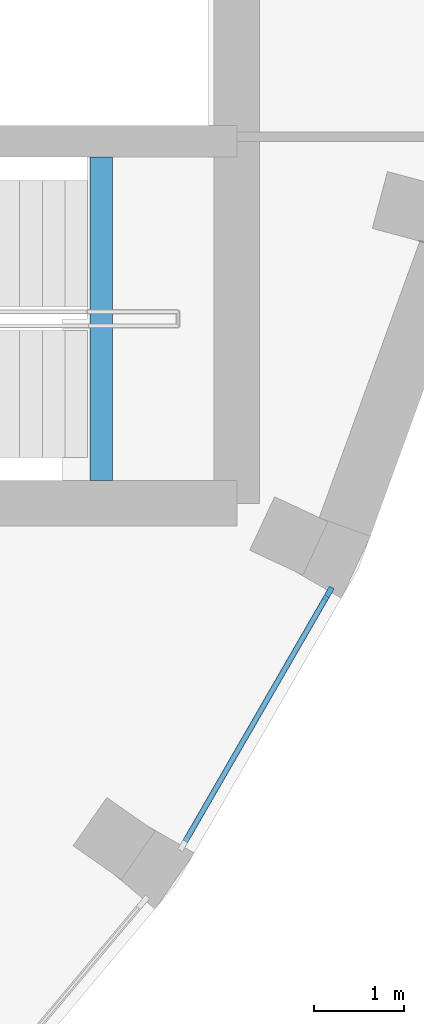
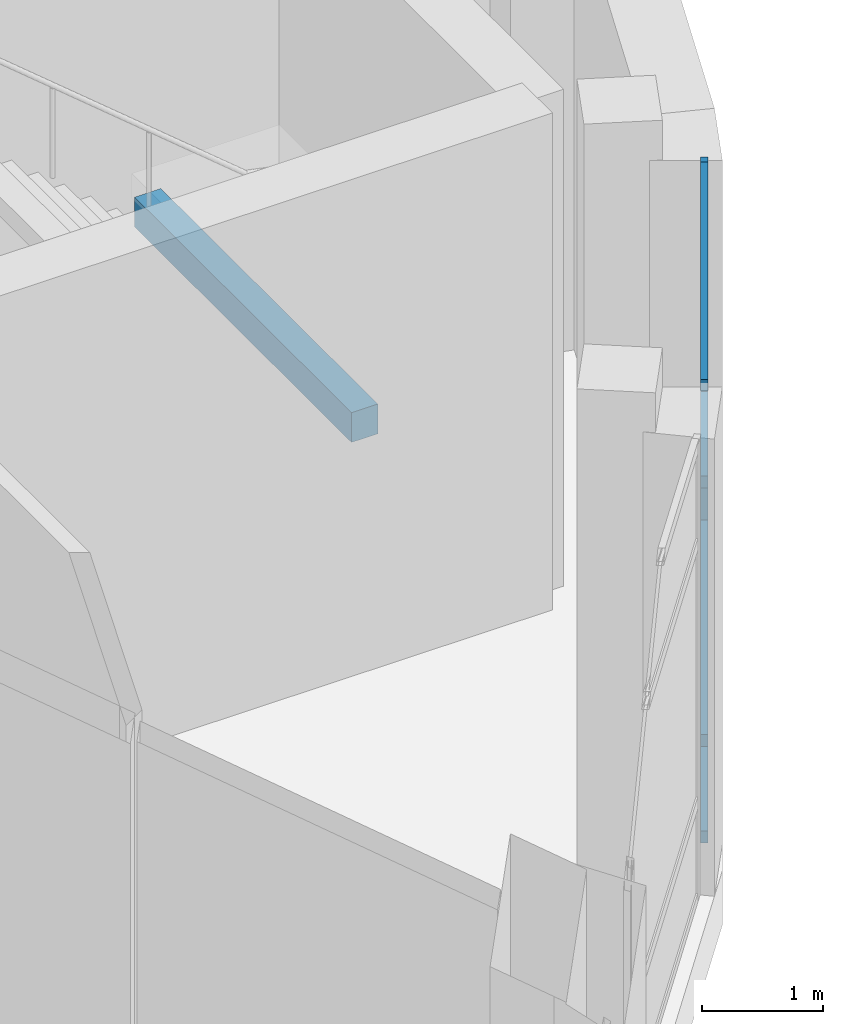
# One storey, part 6 of 19: 5 members, 1 beam, 1 element without a shape of its own.
"""IFC4 building model written with IfcOpenShell, lengths in metres."""

from ifc_helpers import new_model, si_unit, direction, frame, origin, origin_2d, place, context, subcontext, project, spatial, rectangle, extrude, material, layer, layer_set, material_profile, profile_set, type_object, element, aggregate, save


model = new_model("IFC4")

# Units and contexts
model_context = context("Model", 3, precision=1e-05, world=origin(), true_north=direction((0.0, 1.0)))
body_context = subcontext(model_context, "Body", "Model", "MODEL_VIEW")
ifc_project = project(units=[si_unit("LENGTHUNIT", "METRE"), si_unit("AREAUNIT", "SQUARE_METRE"), si_unit("VOLUMEUNIT", "CUBIC_METRE"), si_unit("PLANEANGLEUNIT", "RADIAN"), si_unit("MASSUNIT", "GRAM", prefix="KILO")], contexts=[model_context])

# Site, building, storey
site_placement = place(None, origin())
site = spatial("IfcSite", under=ifc_project, at=site_placement, CompositionType="ELEMENT")
building_placement = place(site_placement, origin())
building = spatial("IfcBuilding", under=site, at=building_placement, Name="Saqina Gate Tower", CompositionType="ELEMENT")
storey_placement = place(building_placement, frame((0.0, 0.0, 224.699951171875)))
storey = spatial("IfcBuildingStorey", under=building, at=storey_placement, Name="L64", CompositionType="ELEMENT", Elevation=224.699951171875)

# Curtain wall, members
ifc_material_1 = material(Name="Aluminium glazing", Category="aluminium")
ifc_layer = layer(ifc_material_1, 0.159912109375)
ifc_layer_set = layer_set([ifc_layer], Name="CWT-2")
curtain_wall_type = type_object("IfcCurtainWallType", Name="CWT-2", PredefinedType="NOTDEFINED", material=ifc_layer_set)
curtain_wall_placement = place(storey_placement, origin())
curtain_wall = element("IfcCurtainWall", 1, at=curtain_wall_placement, inside=storey, type_object=curtain_wall_type, Name="Sky lounge glazing facet 33", PredefinedType="NOTDEFINED")
ifc_material_2 = material(Name="Aluminium", Category="aluminium")
ifc_material_profile_1 = material_profile(ifc_material_2, rectangle(XDim=0.06005859375, YDim=0.159912109375, at=origin_2d()), Name="Aluminium 60x160")
ifc_profile_set_1 = profile_set([ifc_material_profile_1], Name="Aluminium")
member_type_1 = type_object("IfcMemberType", Name="CWT-2M", PredefinedType="MULLION", material=ifc_profile_set_1)
member_1_placement = place(storey_placement, frame((20.5107421875, -9.999267578125, 0.0), z_axis=(0.0, 0.0, 1.0), x_axis=(-0.8660355365, 0.499982449212, 0.0)))
member_1 = element("IfcMember", 2, at=member_1_placement, type_object=member_type_1, Name="CW2-33 mullion 2", PredefinedType="MULLION", context=body_context, shape_type="SweptSolid", body=[
    extrude(rectangle(XDim=0.06005859375, YDim=0.159912109375, at=origin_2d()), origin(), (0.0, 0.0, 1.0), 4.60009765625),
])
ifc_material_3 = material(Name="Aluminium", Category="aluminium")
ifc_material_profile_2 = material_profile(ifc_material_3, rectangle(XDim=0.06005859375, YDim=0.1201171875, at=origin_2d()), Name="Aluminium 60x120")
ifc_profile_set_2 = profile_set([ifc_material_profile_2], Name="Aluminium")
member_type_2 = type_object("IfcMemberType", Name="CWT-2T", PredefinedType="USERDEFINED", material=ifc_profile_set_2)
member_2_placement = place(storey_placement, frame((18.929931640625, -12.7373046875, 0.030029296875), z_axis=(0.50001262068, 0.866018117109, 0.0), x_axis=(-0.866018117109, 0.50001262068, 0.0)))
member_2 = element("IfcMember", 3, at=member_2_placement, type_object=member_type_2, Name="CW2-33 transom 1.1", ObjectType="TRANSOM", PredefinedType="USERDEFINED", context=body_context, shape_type="SweptSolid", body=[
    extrude(rectangle(XDim=0.06005859375, YDim=0.1201171875, at=origin_2d()), origin(), (0.0, 0.0, 1.0), 3.1318359375),
])
member_3_placement = place(storey_placement, frame((18.929931640625, -12.7373046875, 1.0), z_axis=(0.50001262068, 0.866018117109, 0.0), x_axis=(-0.866018117109, 0.50001262068, 0.0)))
member_3 = element("IfcMember", 4, at=member_3_placement, type_object=member_type_2, Name="CW2-33 transom 1.2", ObjectType="TRANSOM", PredefinedType="USERDEFINED", context=body_context, shape_type="SweptSolid", body=[
    extrude(rectangle(XDim=0.06005859375, YDim=0.1201171875, at=origin_2d()), origin(), (0.0, 0.0, 1.0), 3.1318359375),
])
member_4_placement = place(storey_placement, frame((18.929931640625, -12.7373046875, 3.60009765625), z_axis=(0.50001262068, 0.866018117109, 0.0), x_axis=(-0.866018117109, 0.50001262068, 0.0)))
member_4 = element("IfcMember", 5, at=member_4_placement, type_object=member_type_2, Name="CW2-33 transom 1.3", ObjectType="TRANSOM", PredefinedType="USERDEFINED", context=body_context, shape_type="SweptSolid", body=[
    extrude(rectangle(XDim=0.06005859375, YDim=0.1201171875, at=origin_2d()), origin(), (0.0, 0.0, 1.0), 3.1318359375),
])
member_5_placement = place(storey_placement, frame((18.929931640625, -12.7373046875, 4.570068359375), z_axis=(0.50001262068, 0.866018117109, 0.0), x_axis=(-0.866018117109, 0.50001262068, 0.0)))
member_5 = element("IfcMember", 6, at=member_5_placement, type_object=member_type_2, Name="CW2-33 transom 1.4", ObjectType="TRANSOM", PredefinedType="USERDEFINED", context=body_context, shape_type="SweptSolid", body=[
    extrude(rectangle(XDim=0.06005859375, YDim=0.1201171875, at=origin_2d()), origin(), (0.0, 0.0, 1.0), 3.1318359375),
])
aggregate(curtain_wall, [member_1, member_2, member_3, member_4, member_5])

# Beam
ifc_material_4 = material(Name="Concrete C40/50", Category="concrete")
ifc_material_profile_3 = material_profile(ifc_material_4, rectangle(XDim=0.25, YDim=0.300048828125, at=origin_2d()), Name="STAIR LANDING BEAM")
ifc_profile_set_3 = profile_set([ifc_material_profile_3], Name="Concrete C40/50")
beam_type = type_object("IfcBeamType", Name="STAIR LANDING BEAM", PredefinedType="BEAM", material=ifc_profile_set_3)
beam_placement = place(storey_placement, frame((18.0, -8.75, 2.10009765625), z_axis=(0.0, 1.0, 0.0), x_axis=(-1.0, 0.0, 0.0)))
element("IfcBeam", 7, at=beam_placement, inside=storey, type_object=beam_type, Name="EXIT STAIR 2 LANDING BEAM", PredefinedType="BEAM", context=body_context, shape_type="SweptSolid", body=[
    extrude(rectangle(XDim=0.25, YDim=0.300048828125, at=origin_2d()), origin(), (0.0, 0.0, 1.0), 3.574951171875),
])

save(model, "model.ifc")
